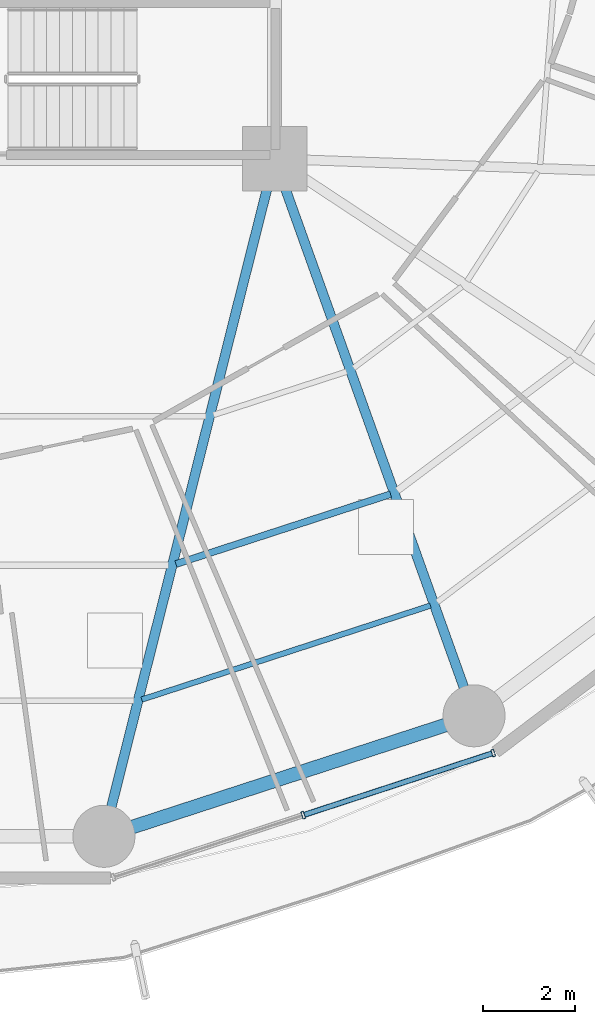
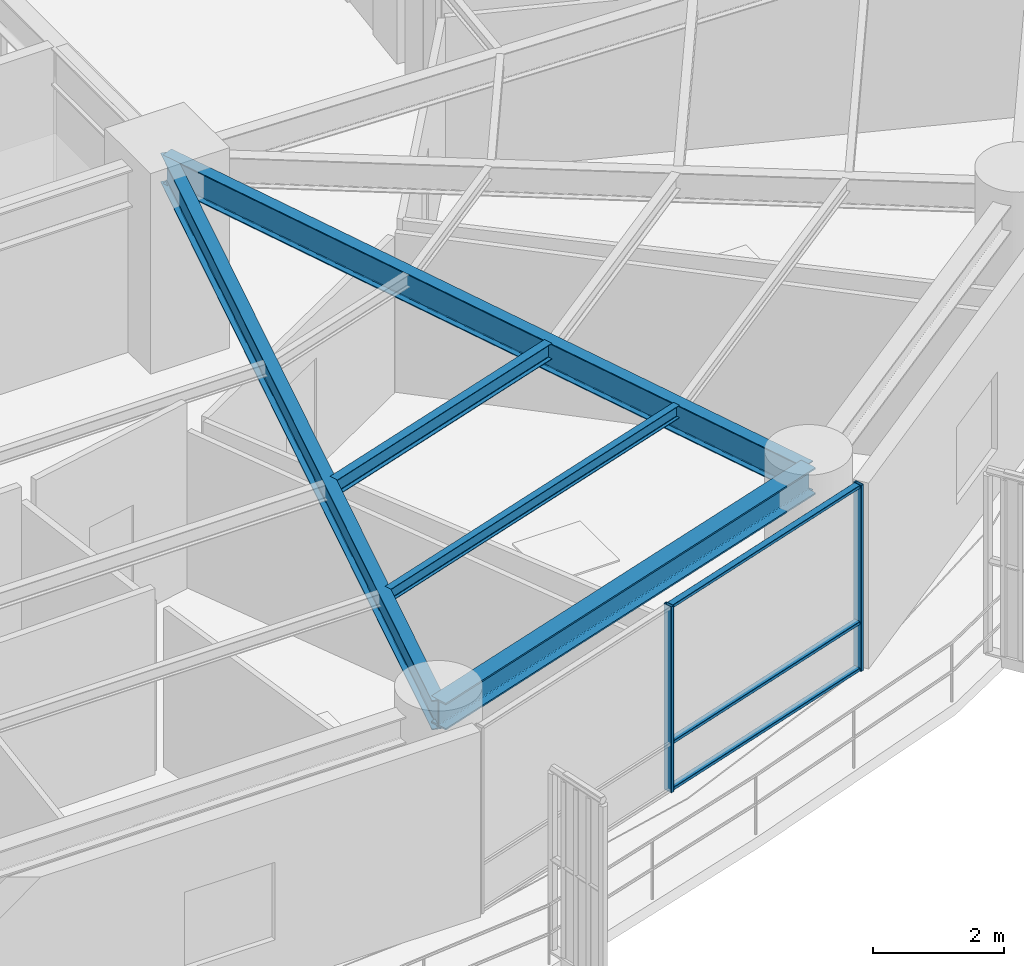
# One storey, part 10 of 35: 5 beams, 5 members, 1 element without a shape of its own.
"""IFC4 building model written with IfcOpenShell, lengths in metres."""

from ifc_helpers import new_model, si_unit, direction, frame, origin, origin_2d, place, context, subcontext, project, spatial, hollow_rectangle, i_section, extrude, material, layer, layer_set, material_profile, profile_set, type_object, element, aggregate, save


model = new_model("IFC4")

# Units and contexts
model_context = context("Model", 3, precision=1e-05, world=origin(), true_north=direction((0.0, 1.0)))
body_context = subcontext(model_context, "Body", "Model", "MODEL_VIEW")
ifc_project = project(units=[si_unit("LENGTHUNIT", "METRE"), si_unit("AREAUNIT", "SQUARE_METRE"), si_unit("VOLUMEUNIT", "CUBIC_METRE"), si_unit("PLANEANGLEUNIT", "RADIAN"), si_unit("MASSUNIT", "GRAM", prefix="KILO")], contexts=[model_context])

# Site, building, storey
site_placement = place(None, origin())
site = spatial("IfcSite", under=ifc_project, at=site_placement, CompositionType="ELEMENT")
building_placement = place(site_placement, origin())
building = spatial("IfcBuilding", under=site, at=building_placement, Name="Kelanora Arch Commons", CompositionType="ELEMENT")
storey_placement = place(building_placement, frame((0.0, 0.0, 95.10009765625)))
storey = spatial("IfcBuildingStorey", under=building, at=storey_placement, Name="L24", CompositionType="ELEMENT", Elevation=95.10009765625)

# Beams
ifc_material_1 = material(Name="Steel S355", Category="steel")
ifc_material_profile_1 = material_profile(ifc_material_1, i_section(OverallWidth=0.14990234375, OverallDepth=0.300048828125, WebThickness=0.007080078125, FlangeThickness=0.0107421875, FilletRadius=0.014892578125, at=origin_2d()), Name="IPE300")
ifc_profile_set_1 = profile_set([ifc_material_profile_1], Name="Steel S355")
beam_type_1 = type_object("IfcBeamType", Name="BM-JST-01", PredefinedType="JOIST", material=ifc_profile_set_1)
beam_1_placement = place(storey_placement, frame((79.852294921875, 42.1796875, 3.33984375), z_axis=(0.950857140254, 0.309629938521, 0.0), x_axis=(-0.309629938521, 0.950857140254, 0.0)))
element("IfcBeam", 1, at=beam_1_placement, inside=storey, type_object=beam_type_1, Name="Secondary Chord Joist BJB-28 L24", PredefinedType="JOIST", context=body_context, shape_type="SweptSolid", body=[
    extrude(i_section(OverallWidth=0.14990234375, OverallDepth=0.300048828125, WebThickness=0.007080078125, FlangeThickness=0.0107421875, FilletRadius=0.014892578125, at=origin_2d()), origin(), (0.0, 0.0, 1.0), 4.912353515625),
])
ifc_material_profile_2 = material_profile(ifc_material_1, i_section(OverallWidth=0.1201171875, OverallDepth=0.239990234375, WebThickness=0.006103515625, FlangeThickness=0.009765625, FilletRadius=0.014892578125, at=origin_2d()), Name="IPE240")
ifc_profile_set_2 = profile_set([ifc_material_profile_2], Name="Steel S355")
beam_type_2 = type_object("IfcBeamType", Name="BM-JST-02", PredefinedType="JOIST", material=ifc_profile_set_2)
beam_2_placement = place(storey_placement, frame((79.109375, 39.230712890625, 3.369873046875), z_axis=(0.950862829272, 0.309612467301, 0.0), x_axis=(-0.309612467301, 0.950862829272, 0.0)))
element("IfcBeam", 2, at=beam_2_placement, inside=storey, type_object=beam_type_2, Name="Secondary Chord Joist BJC-28 L24", PredefinedType="JOIST", context=body_context, shape_type="SweptSolid", body=[
    extrude(i_section(OverallWidth=0.1201171875, OverallDepth=0.239990234375, WebThickness=0.006103515625, FlangeThickness=0.009765625, FilletRadius=0.014892578125, at=origin_2d()), origin(), (0.0, 0.0, 1.0), 6.6064453125),
])
ifc_material_profile_3 = material_profile(ifc_material_1, i_section(OverallWidth=0.2099609375, OverallDepth=0.550048828125, WebThickness=0.010986328125, FlangeThickness=0.01708984375, FilletRadius=0.02392578125, at=origin_2d()), Name="IPE550")
ifc_profile_set_3 = profile_set([ifc_material_profile_3], Name="Steel S355")
beam_type_3 = type_object("IfcBeamType", Name="BM-RAD-Z2", PredefinedType="BEAM", material=ifc_profile_set_3)
beam_3_placement = place(storey_placement, frame((82.0, 51.0, 3.21484375), z_axis=(-0.244280647475, -0.969704576286, 0.0), x_axis=(0.969704576286, -0.244280647475, 0.0)))
element("IfcBeam", 3, at=beam_3_placement, inside=storey, type_object=beam_type_3, Name="Radial Floor Girder BR-28 L24", PredefinedType="BEAM", context=body_context, shape_type="SweptSolid", body=[
    extrude(i_section(OverallWidth=0.2099609375, OverallDepth=0.550048828125, WebThickness=0.010986328125, FlangeThickness=0.01708984375, FilletRadius=0.02392578125, at=origin_2d()), origin(), (0.0, 0.0, 1.0), 15.205322265625),
])
beam_4_placement = place(storey_placement, frame((82.0, 51.0, 3.21484375), z_axis=(0.337084640008, -0.941474346687, 0.0), x_axis=(0.941474346687, 0.337084640008, 0.0)))
element("IfcBeam", 4, at=beam_4_placement, inside=storey, type_object=beam_type_3, Name="Radial Floor Girder BR-30 L24", PredefinedType="BEAM", context=body_context, shape_type="SweptSolid", body=[
    extrude(i_section(OverallWidth=0.2099609375, OverallDepth=0.550048828125, WebThickness=0.010986328125, FlangeThickness=0.01708984375, FilletRadius=0.02392578125, at=origin_2d()), origin(), (0.0, 0.0, 1.0), 12.875244140625),
])
ifc_material_profile_4 = material_profile(ifc_material_1, i_section(OverallWidth=0.300048828125, OverallDepth=0.5, WebThickness=0.014404296875, FlangeThickness=0.028076171875, FilletRadius=0.027099609375, at=origin_2d()), Name="HEB500")
ifc_profile_set_4 = profile_set([ifc_material_profile_4], Name="Steel S355")
beam_type_4 = type_object("IfcBeamType", Name="BM-SPN-Z2", PredefinedType="SPANDREL", material=ifc_profile_set_4)
beam_5_placement = place(storey_placement, frame((78.28564453125, 36.25537109375, 3.239990234375), z_axis=(0.950856631974, 0.309631499418, 0.0), x_axis=(-0.309631499418, 0.950856631974, 0.0)))
element("IfcBeam", 5, at=beam_5_placement, inside=storey, type_object=beam_type_4, Name="Perimeter Spandrel Beam BS-28 L24", PredefinedType="SPANDREL", context=body_context, shape_type="SweptSolid", body=[
    extrude(i_section(OverallWidth=0.300048828125, OverallDepth=0.5, WebThickness=0.014404296875, FlangeThickness=0.028076171875, FilletRadius=0.027099609375, at=origin_2d()), origin(), (0.0, 0.0, 1.0), 8.470703125),
])

# Curtain wall, members
ifc_material_2 = material(Name="Terracotta ceramic-fritted low-E glass and aluminium", Category="masonry")
ifc_layer = layer(ifc_material_2, 0.159912109375)
ifc_layer_set = layer_set([ifc_layer], Name="Terracotta ceramic-fritted low-E glass and aluminium")
curtain_wall_type = type_object("IfcCurtainWallType", Name="CW-SYS-01", PredefinedType="NOTDEFINED", material=ifc_layer_set)
curtain_wall_placement = place(storey_placement, origin())
curtain_wall = element("IfcCurtainWall", 6, at=curtain_wall_placement, inside=storey, type_object=curtain_wall_type, Name="Unitised Curtain Wall L24-B14", PredefinedType="NOTDEFINED")
ifc_material_3 = material(Name="Powder-coated aluminium terracotta", Category="masonry")
ifc_material_profile_5 = material_profile(ifc_material_3, hollow_rectangle(XDim=0.159912109375, YDim=0.06005859375, WallThickness=0.0048828125, InnerFilletRadius=0.0048828125, OuterFilletRadius=0.010009765625, at=origin_2d()), Name="CWM160x60")
ifc_profile_set_5 = profile_set([ifc_material_profile_5], Name="Powder-coated aluminium terracotta")
member_type_1 = type_object("IfcMemberType", Name="CWM-STD", PredefinedType="MULLION", material=ifc_profile_set_5)
member_1_placement = place(storey_placement, frame((82.622802734375, 36.71533203125, 0.0), z_axis=(0.0, 0.0, 1.0), x_axis=(-0.31080470294, 0.950473795867, 0.0)))
member_1 = element("IfcMember", 7, at=member_1_placement, type_object=member_type_1, Name="CW-01 mullion 2", PredefinedType="MULLION", context=body_context, shape_type="SweptSolid", body=[
    extrude(hollow_rectangle(XDim=0.159912109375, YDim=0.06005859375, WallThickness=0.0048828125, InnerFilletRadius=0.0048828125, OuterFilletRadius=0.010009765625, at=origin_2d()), origin(), (0.0, 0.0, 1.0), 3.474853515625),
])
member_2_placement = place(storey_placement, frame((86.757080078125, 38.0673828125, 0.0), z_axis=(0.0, 0.0, 1.0), x_axis=(-0.31080470294, 0.950473795867, 0.0)))
member_2 = element("IfcMember", 8, at=member_2_placement, type_object=member_type_1, Name="CW-01 mullion 3", PredefinedType="MULLION", context=body_context, shape_type="SweptSolid", body=[
    extrude(hollow_rectangle(XDim=0.159912109375, YDim=0.06005859375, WallThickness=0.0048828125, InnerFilletRadius=0.0048828125, OuterFilletRadius=0.010009765625, at=origin_2d()), origin(), (0.0, 0.0, 1.0), 3.474853515625),
])
ifc_material_profile_6 = material_profile(ifc_material_3, hollow_rectangle(XDim=0.1201171875, YDim=0.06005859375, WallThickness=0.0048828125, InnerFilletRadius=0.0048828125, OuterFilletRadius=0.010009765625, at=origin_2d()), Name="CWT120x60")
ifc_profile_set_6 = profile_set([ifc_material_profile_6], Name="Powder-coated aluminium terracotta")
member_type_2 = type_object("IfcMemberType", Name="CWT-STD", PredefinedType="USERDEFINED", material=ifc_profile_set_6)
member_3_placement = place(storey_placement, frame((82.651123046875, 36.724609375, 0.02978515625), z_axis=(0.950466230394, 0.310827838008, 0.0), x_axis=(-0.310827838008, 0.950466230394, 0.0)))
member_3 = element("IfcMember", 9, at=member_3_placement, type_object=member_type_2, Name="CW-01 transom 2.1", ObjectType="TRANSOM", PredefinedType="USERDEFINED", context=body_context, shape_type="SweptSolid", body=[
    extrude(hollow_rectangle(XDim=0.1201171875, YDim=0.06005859375, WallThickness=0.0048828125, InnerFilletRadius=0.0048828125, OuterFilletRadius=0.010009765625, at=origin_2d()), origin(), (0.0, 0.0, 1.0), 4.2900390625),
])
member_4_placement = place(storey_placement, frame((82.651123046875, 36.724609375, 0.89990234375), z_axis=(0.950466230394, 0.310827838008, 0.0), x_axis=(-0.310827838008, 0.950466230394, 0.0)))
member_4 = element("IfcMember", 10, at=member_4_placement, type_object=member_type_2, Name="CW-01 transom 2.2", ObjectType="TRANSOM", PredefinedType="USERDEFINED", context=body_context, shape_type="SweptSolid", body=[
    extrude(hollow_rectangle(XDim=0.1201171875, YDim=0.06005859375, WallThickness=0.0048828125, InnerFilletRadius=0.0048828125, OuterFilletRadius=0.010009765625, at=origin_2d()), origin(), (0.0, 0.0, 1.0), 4.2900390625),
])
member_5_placement = place(storey_placement, frame((82.651123046875, 36.724609375, 3.44482421875), z_axis=(0.950466230394, 0.310827838008, 0.0), x_axis=(-0.310827838008, 0.950466230394, 0.0)))
member_5 = element("IfcMember", 11, at=member_5_placement, type_object=member_type_2, Name="CW-01 transom 2.3", ObjectType="TRANSOM", PredefinedType="USERDEFINED", context=body_context, shape_type="SweptSolid", body=[
    extrude(hollow_rectangle(XDim=0.1201171875, YDim=0.06005859375, WallThickness=0.0048828125, InnerFilletRadius=0.0048828125, OuterFilletRadius=0.010009765625, at=origin_2d()), origin(), (0.0, 0.0, 1.0), 4.2900390625),
])
aggregate(curtain_wall, [member_1, member_2, member_3, member_4, member_5])

save(model, "model.ifc")
